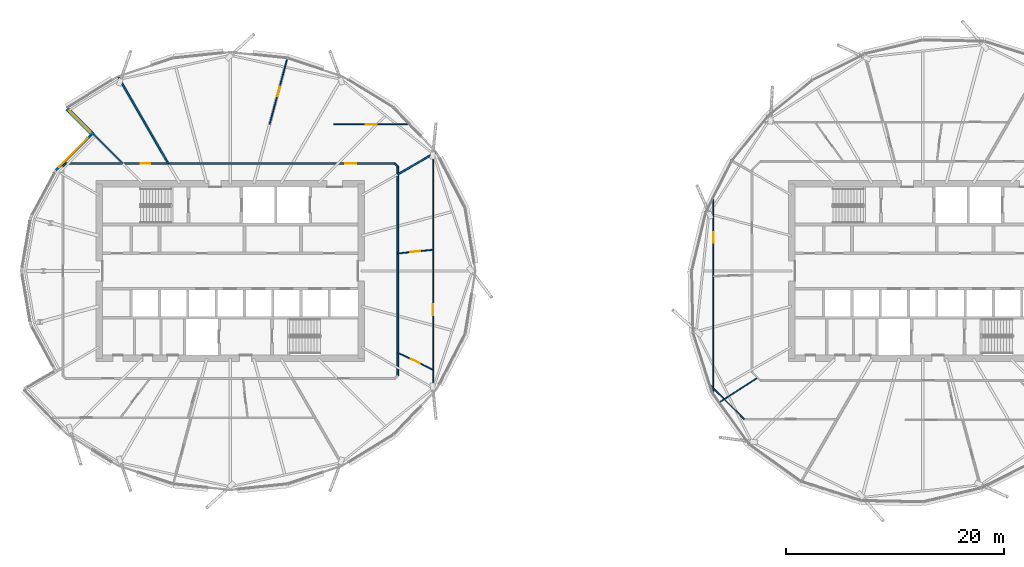
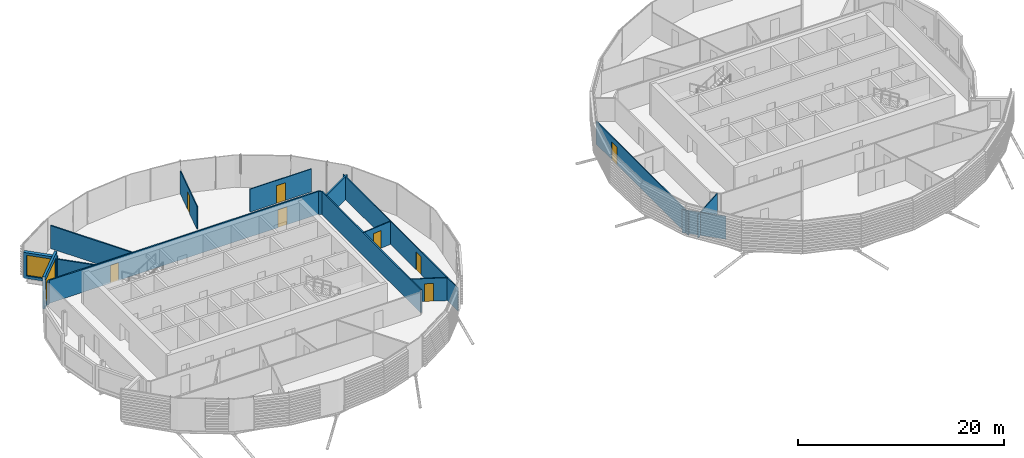
# One storey, part 21 of 37: 17 walls, 8 doors, 2 windows, 10 openings.
"""IFC4 building model written with IfcOpenShell, lengths in metres."""

import ifcopenshell
import ifcopenshell.guid

model = None  # the IFC model being written
_history = None  # IfcOwnerHistory: only IFC2X3 demands one
_inside = {}  # id of a spatial element -> (the spatial element, [elements in it])
_under = {}  # id of a project, library or spatial element -> (it, [spatial elements below it])
_declared = {}  # id of a project -> (the project, [libraries it declares])
_typed = {}  # id of a type object -> (the type object, [elements of that type])
_made_of = {}  # id of a material, layer set ... -> (it, [elements and type objects made of it])


def new_model(schema):
    """Start an empty IFC model of exactly this schema.

    Asked for "IFC4X3", IfcOpenShell would pick the latest addendum, in which some entities
    have other attributes; the version numbers below select the first issue.
    IFC2X3 requires an IfcOwnerHistory on every rooted entity: one is made here for all.
    """
    global model, _history
    if schema == "IFC4X3":
        model = ifcopenshell.file(schema_version=(4, 3, 0, 0))
    else:
        model = ifcopenshell.file(schema=schema)
    _inside.clear()
    _under.clear()
    _declared.clear()
    _typed.clear()
    _made_of.clear()
    _history = None
    if model.schema == "IFC2X3":
        org = make("IfcOrganization", Name="unknown")
        user = make(
            "IfcPersonAndOrganization",
            ThePerson=make("IfcPerson", FamilyName="unknown"),
            TheOrganization=org,
        )
        app = make(
            "IfcApplication",
            ApplicationDeveloper=org,
            Version="unknown",
            ApplicationFullName="unknown",
            ApplicationIdentifier="unknown",
        )
        _history = make(
            "IfcOwnerHistory",
            OwningUser=user,
            OwningApplication=app,
            ChangeAction="ADDED",
            CreationDate=0,
        )
    return model


def make(cls, **values):
    """One entity of the class cls with the attributes given. An attribute that is None is left unset."""
    return model.create_entity(
        cls, **{name: value for name, value in values.items() if value is not None}
    )


def rooted(cls, **values):
    """An entity with a GlobalId (a new one), such as an element, a storey or a relation."""
    return make(cls, GlobalId=ifcopenshell.guid.new(), OwnerHistory=_history, **values)


def si_unit(unit_type, name, prefix=None):
    """IfcSIUnit, for example si_unit("LENGTHUNIT", "METRE", prefix="MILLI")."""
    return make("IfcSIUnit", UnitType=unit_type, Prefix=prefix, Name=name)


def assignment(units):
    """IfcUnitAssignment: the units of a project."""
    return None if units is None else make("IfcUnitAssignment", Units=units)


def point(xyz):
    """IfcCartesianPoint."""
    return None if xyz is None else make("IfcCartesianPoint", Coordinates=xyz)


def direction(xyz):
    """IfcDirection."""
    return None if xyz is None else make("IfcDirection", DirectionRatios=xyz)


def frame(location, z_axis=None, x_axis=None):
    """IfcAxis2Placement3D, a coordinate frame: its origin and axes. An axis left out is left unset."""
    return make(
        "IfcAxis2Placement3D",
        Location=point(location),
        Axis=direction(z_axis),
        RefDirection=direction(x_axis),
    )


def frame_2d(location, x_axis=None):
    """IfcAxis2Placement2D, a coordinate frame in the plane: its origin and x axis."""
    return make(
        "IfcAxis2Placement2D", Location=point(location), RefDirection=direction(x_axis)
    )


def origin():
    """The frame at (0, 0, 0) with its axes left unset."""
    return frame((0.0, 0.0, 0.0))


def place(relative_to, where):
    """IfcLocalPlacement: puts the frame where relative to a parent placement (None: the world)."""
    return make(
        "IfcLocalPlacement", PlacementRelTo=relative_to, RelativePlacement=where
    )


def context(
    kind, dimensions, precision=None, world=None, true_north=None, identifier=None
):
    """IfcGeometricRepresentationContext, for example the 3D "Model" context."""
    return make(
        "IfcGeometricRepresentationContext",
        ContextIdentifier=identifier,
        ContextType=kind,
        CoordinateSpaceDimension=dimensions,
        Precision=precision,
        WorldCoordinateSystem=world,
        TrueNorth=true_north,
    )


def subcontext(parent, identifier, kind, view, scale=None):
    """IfcGeometricRepresentationSubContext, for example "Body" below "Model"."""
    return make(
        "IfcGeometricRepresentationSubContext",
        ContextIdentifier=identifier,
        ContextType=kind,
        ParentContext=parent,
        TargetScale=scale,
        TargetView=view,
    )


def project(units=None, contexts=None):
    """IfcProject with its units and contexts."""
    return rooted(
        "IfcProject",
        Name="project",
        RepresentationContexts=contexts,
        UnitsInContext=assignment(units),
    )


def spatial(cls, under=None, at=None, **own):
    """A site, building, storey or space (cls), placed at a placement, below another one or the project."""
    s = rooted(cls, ObjectPlacement=at, **own)
    if under is not None:
        _under.setdefault(under.id(), (under, []))[1].append(s)
    return s


def profile(cls, at=None, kind="AREA", **sizes):
    """A parametric profile (cls). Its sizes go by their IFC names, for example OverallWidth=200.0."""
    return make(cls, ProfileType=kind, Position=at, **sizes)


def rectangle(**sizes):
    """IfcRectangleProfileDef."""
    return profile("IfcRectangleProfileDef", **sizes)


def extrude(swept, where, along, depth):
    """IfcExtrudedAreaSolid: the profile swept, set in the frame where, extruded along a direction by depth."""
    return make(
        "IfcExtrudedAreaSolid",
        SweptArea=swept,
        Position=where,
        ExtrudedDirection=direction(along),
        Depth=depth,
    )


def shape(context_of_items, identifier, shape_type, items):
    """IfcShapeRepresentation: the items that make up one representation, for example the "Body"."""
    return make(
        "IfcShapeRepresentation",
        ContextOfItems=context_of_items,
        RepresentationIdentifier=identifier,
        RepresentationType=shape_type,
        Items=items,
    )


def material(Name=None, Category=None):
    """IfcMaterial."""
    return make("IfcMaterial", Name=Name, Category=Category)


def layer(
    of_material, thickness, ventilated=None, Name=None, Category=None, Priority=None
):
    """IfcMaterialLayer: one layer of a wall or slab, of a material (None: an air gap)."""
    return make(
        "IfcMaterialLayer",
        Material=of_material,
        LayerThickness=thickness,
        IsVentilated=ventilated,
        Name=Name,
        Category=Category,
        Priority=Priority,
    )


def layer_set(layers, Name=None):
    """IfcMaterialLayerSet."""
    return make("IfcMaterialLayerSet", MaterialLayers=layers, LayerSetName=Name)


def made_of(thing, what):
    """Note that an element or type object is made of a material, layer set ...; save() writes the relation."""
    if what is not None:
        _made_of.setdefault(what.id(), (what, []))[1].append(thing)
    return thing


def type_object(cls, material=None, **own):
    """A type object (cls), such as IfcWallType, which elements share."""
    return made_of(rooted(cls, **own), material)


def element(
    cls,
    number,
    at=None,
    inside=None,
    cuts=None,
    type_object=None,
    material=None,
    context=None,
    identifier="Body",
    shape_type=None,
    held_by="IfcProductDefinitionShape",
    body=None,
    shapes=None,
    **own,
):
    """One element of the class cls, such as IfcWall. Its Tag is "e" and its number.

    at: its placement. inside: the storey or other place that contains it. cuts: it is an
    opening in that element (IfcRelVoidsElement). A single representation is given by context,
    identifier, shape_type and body (its items); several are given by shapes. held_by: the class
    of the entity that holds the representations. save() writes the other relations.
    """
    e = rooted(cls, Tag="e%d" % number, ObjectPlacement=at, **own)
    if body is not None:
        shapes = [shape(context, identifier, shape_type, body)]
    if shapes is not None:
        e.Representation = make(held_by, Representations=shapes)
    if inside is not None:
        _inside.setdefault(inside.id(), (inside, []))[1].append(e)
    if cuts is not None:
        rooted(
            "IfcRelVoidsElement", RelatingBuildingElement=cuts, RelatedOpeningElement=e
        )
    if type_object is not None:
        _typed.setdefault(type_object.id(), (type_object, []))[1].append(e)
    return made_of(e, material)


def fill(opening, filler):
    """IfcRelFillsElement: the door or window that sits in an opening."""
    return rooted(
        "IfcRelFillsElement",
        RelatingOpeningElement=opening,
        RelatedBuildingElement=filler,
    )


def aggregate(whole, parts):
    """IfcRelAggregates: a whole, such as a stair, and the parts it consists of."""
    return rooted("IfcRelAggregates", RelatingObject=whole, RelatedObjects=parts)


def save(model, path):
    """Write the relations noted so far, then the file.

    IfcRelAggregates (storeys below a building ...), IfcRelContainedInSpatialStructure (elements
    in a storey), IfcRelDefinesByType, IfcRelAssociatesMaterial and IfcRelDeclares: one each for
    every whole, place, type object, material and project.
    """
    for whole, parts in _under.values():
        aggregate(whole, parts)
    for where, things in _inside.values():
        rooted(
            "IfcRelContainedInSpatialStructure",
            RelatedElements=things,
            RelatingStructure=where,
        )
    for kind, things in _typed.values():
        rooted("IfcRelDefinesByType", RelatedObjects=things, RelatingType=kind)
    for what, things in _made_of.values():
        rooted("IfcRelAssociatesMaterial", RelatedObjects=things, RelatingMaterial=what)
    for by, libraries in _declared.values():
        rooted("IfcRelDeclares", RelatingContext=by, RelatedDefinitions=libraries)
    model.write(path)


model = new_model("IFC4")

# Units and contexts
model_context = context("Model", 3, precision=1e-05, world=origin(), true_north=direction((0.0, 1.0)))
body_context = subcontext(model_context, "Body", "Model", "MODEL_VIEW")
ifc_project = project(units=[si_unit("LENGTHUNIT", "METRE"), si_unit("AREAUNIT", "SQUARE_METRE"), si_unit("VOLUMEUNIT", "CUBIC_METRE"), si_unit("PLANEANGLEUNIT", "RADIAN"), si_unit("MASSUNIT", "GRAM", prefix="KILO")], contexts=[model_context])

# Site, building, storey
site_placement = place(None, origin())
site = spatial("IfcSite", under=ifc_project, at=site_placement, CompositionType="ELEMENT")
building_placement = place(site_placement, origin())
building = spatial("IfcBuilding", under=site, at=building_placement, Name="Rimbun Link Towers", CompositionType="ELEMENT")
storey_placement = place(building_placement, frame((0.0, 0.0, 166.5)))
storey = spatial("IfcBuildingStorey", under=building, at=storey_placement, Name="L40", CompositionType="ELEMENT", Elevation=166.5)

# Wall, opening, window
ifc_material_1 = material(Name="Dark enamelled glass spandrel on insulated aluminium backpan", Category="aluminium")
ifc_layer_1 = layer(ifc_material_1, 0.25)
ifc_layer_set_1 = layer_set([ifc_layer_1], Name="CS dark enamelled spandrel wall 250")
wall_type_1 = type_object("IfcWallType", Name="CS dark enamelled spandrel wall 250", PredefinedType="STANDARD", material=ifc_layer_set_1)
wall_1_placement = place(storey_placement, frame((-47.7470703125, 9.252685546875, 0.0), z_axis=(0.0, 0.0, 1.0), x_axis=(0.706701477336, 0.707511852855, 0.0)))
wall_1 = element("IfcWall", 1, at=wall_1_placement, inside=storey, type_object=wall_type_1, Name="Crease spandrel wall", PredefinedType="STANDARD", context=body_context, shape_type="SweptSolid", body=[
    extrude(rectangle(XDim=4.51904296875, YDim=0.25, at=frame_2d((2.259521484375, 0.0))), origin(), (0.0, 0.0, 1.0), 3.800048828125),
])
opening_1_placement = place(wall_1_placement, frame((0.384521484375, 0.0, 0.300048828125)))
opening_1 = element("IfcOpeningElement", 2, at=opening_1_placement, cuts=wall_1, Name="Opening WR38H295", PredefinedType="OPENING", context=body_context, shape_type="SweptSolid", body=[
    extrude(rectangle(XDim=3.75, YDim=2.949951171875, at=frame_2d((1.875, 1.47509765625))), frame((0.0, 0.135009765625, 0.0), z_axis=(0.0, -1.0, 0.0), x_axis=(1.0, 0.0, 0.0)), (0.0, 0.0, 1.0), 0.27001953125),
])
ifc_material_2 = material(Name="Aluminium framed fixed window, dark tinted low-e glass", Category="aluminium")
window_type_1 = type_object("IfcWindowType", Name="WR ribbon window 3750X2950", PartitioningType="SINGLE_PANEL", PredefinedType="WINDOW", material=ifc_material_2)
window_1_placement = place(opening_1_placement, origin())
window_1 = element("IfcWindow", 3, at=window_1_placement, inside=storey, type_object=window_type_1, Name="Crease ribbon window", OverallHeight=2.949951171875, OverallWidth=3.75, PartitioningType="SINGLE_PANEL", PredefinedType="WINDOW", context=body_context, shape_type="SweptSolid", body=[
    extrude(rectangle(XDim=3.75, YDim=2.949951171875, at=frame_2d((1.875, 1.47509765625))), frame((0.0, 0.030029296875, 0.0), z_axis=(0.0, -1.0, 0.0), x_axis=(1.0, 0.0, 0.0)), (0.0, 0.0, 1.0), 0.06005859375),
])
fill(opening_1, window_1)

ifc_material_3 = material(Name="Dark enamelled glass spandrel on insulated aluminium backpan", Category="aluminium")
ifc_layer_2 = layer(ifc_material_3, 0.3701171875)
ifc_layer_set_2 = layer_set([ifc_layer_2], Name="CS dark enamelled spandrel wall 370")
wall_type_2 = type_object("IfcWallType", Name="CS dark enamelled spandrel wall 370", PredefinedType="STANDARD", material=ifc_layer_set_2)
wall_2_placement = place(storey_placement, frame((-44.33447265625, 12.492431640625, 0.0), z_axis=(0.0, 0.0, 1.0), x_axis=(-0.707106781187, 0.707106781187, 0.0)))
wall_2 = element("IfcWall", 4, at=wall_2_placement, inside=storey, type_object=wall_type_2, Name="Crease spandrel wall", PredefinedType="STANDARD", context=body_context, shape_type="SweptSolid", body=[
    extrude(rectangle(XDim=3.380126953125, YDim=0.3701171875, at=frame_2d((1.68994140625, 0.0))), origin(), (0.0, 0.0, 1.0), 3.037353515625),
])
opening_2_placement = place(wall_2_placement, frame((0.31494140625, 0.0, 0.300048828125)))
opening_2 = element("IfcOpeningElement", 5, at=opening_2_placement, cuts=wall_2, Name="Opening WR28H245", PredefinedType="OPENING", context=body_context, shape_type="SweptSolid", body=[
    extrude(rectangle(XDim=2.75, YDim=2.449951171875, at=frame_2d((1.375, 1.22509765625))), frame((0.0, 0.195068359375, 0.0), z_axis=(0.0, -1.0, 0.0), x_axis=(1.0, 0.0, 0.0)), (0.0, 0.0, 1.0), 0.39013671875),
])
ifc_material_4 = material(Name="Aluminium framed fixed window, dark tinted low-e glass", Category="aluminium")
window_type_2 = type_object("IfcWindowType", Name="WR ribbon window 2750X2450", PartitioningType="SINGLE_PANEL", PredefinedType="WINDOW", material=ifc_material_4)
window_2_placement = place(opening_2_placement, origin())
window_2 = element("IfcWindow", 6, at=window_2_placement, inside=storey, type_object=window_type_2, Name="Crease ribbon window", OverallHeight=2.449951171875, OverallWidth=2.75, PartitioningType="SINGLE_PANEL", PredefinedType="WINDOW", context=body_context, shape_type="SweptSolid", body=[
    extrude(rectangle(XDim=2.75, YDim=2.449951171875, at=frame_2d((1.375, 1.22509765625))), frame((0.0, 0.030029296875, 0.0), z_axis=(0.0, -1.0, 0.0), x_axis=(1.0, 0.0, 0.0)), (0.0, 0.0, 1.0), 0.06005859375),
])
fill(opening_2, window_2)

# Wall, openings, doors
ifc_material_5 = material(Name="Plasterboard on steel stud, mineral wool", Category="steel")
ifc_layer_3 = layer(ifc_material_5, 0.14990234375)
ifc_layer_set_3 = layer_set([ifc_layer_3], Name="Corridor wall EI 30 150 mm")
wall_type_3 = type_object("IfcWallType", Name="Corridor wall EI 30 150 mm", PredefinedType="PARTITIONING", material=ifc_layer_set_3)
wall_3_placement = place(storey_placement, frame((-46.84375, 9.85498046875, 0.0), z_axis=(0.0, 0.0, 1.0), x_axis=(1.0, 0.0, 0.0)))
wall_3 = element("IfcWall", 7, at=wall_3_placement, inside=storey, type_object=wall_type_3, Name="Corridor wall EI 30 150 mm", PredefinedType="PARTITIONING", context=body_context, shape_type="SweptSolid", body=[
    extrude(rectangle(XDim=30.1875, YDim=0.14990234375, at=frame_2d((15.09375, 0.0))), origin(), (0.0, 0.0, 1.0), 2.7119140625),
])
opening_3_placement = place(wall_3_placement, frame((25.62939453125, 0.0, 0.0)))
opening_3 = element("IfcOpeningElement", 8, at=opening_3_placement, cuts=wall_3, Name="Opening D01", PredefinedType="OPENING", context=body_context, shape_type="SweptSolid", body=[
    extrude(rectangle(XDim=1.0, YDim=2.10009765625, at=frame_2d((0.5, 1.050048828125))), frame((0.0, 0.0849609375, 0.0), z_axis=(0.0, -1.0, 0.0), x_axis=(1.0, 0.0, 0.0)), (0.0, 0.0, 1.0), 0.169921875),
])
opening_4_placement = place(wall_3_placement, frame((6.871337890625, 0.0, 0.0)))
opening_4 = element("IfcOpeningElement", 9, at=opening_4_placement, cuts=wall_3, Name="Opening D02", PredefinedType="OPENING", context=body_context, shape_type="SweptSolid", body=[
    extrude(rectangle(XDim=0.89990234375, YDim=2.10009765625, at=frame_2d((0.449951171875, 1.050048828125))), frame((0.0, 0.0849609375, 0.0), z_axis=(0.0, -1.0, 0.0), x_axis=(1.0, 0.0, 0.0)), (0.0, 0.0, 1.0), 0.169921875),
])
ifc_material_6 = material(Name="Fire-resisting timber door leaf", Category="wood")
door_type_1 = type_object("IfcDoorType", Name="Fire door FD30S 1000", OperationType="NOTDEFINED", PredefinedType="DOOR", material=ifc_material_6)
door_1_placement = place(opening_3_placement, origin())
door_1 = element("IfcDoor", 10, at=door_1_placement, inside=storey, type_object=door_type_1, Name="Fire door FD30S 1000 to Tenant lobby", OperationType="SINGLE_SWING_LEFT", OverallHeight=2.10009765625, OverallWidth=1.0, PredefinedType="DOOR", context=body_context, shape_type="SweptSolid", body=[
    extrude(rectangle(XDim=1.0, YDim=2.10009765625, at=frame_2d((0.5, 1.050048828125))), frame((0.0, 0.02490234375, 0.0), z_axis=(0.0, -1.0, 0.0), x_axis=(1.0, 0.0, 0.0)), (0.0, 0.0, 1.0), 0.050048828125),
])
fill(opening_3, door_1)
ifc_material_7 = material(Name="Fire-resisting timber door leaf", Category="wood")
door_type_2 = type_object("IfcDoorType", Name="Fire door FD30S 900", OperationType="NOTDEFINED", PredefinedType="DOOR", material=ifc_material_7)
door_2_placement = place(opening_4_placement, origin())
door_2 = element("IfcDoor", 11, at=door_2_placement, inside=storey, type_object=door_type_2, Name="Fire door FD30S 900 to Print room", OperationType="SINGLE_SWING_RIGHT", OverallHeight=2.10009765625, OverallWidth=0.89990234375, PredefinedType="DOOR", context=body_context, shape_type="SweptSolid", body=[
    extrude(rectangle(XDim=0.89990234375, YDim=2.10009765625, at=frame_2d((0.449951171875, 1.050048828125))), frame((0.0, 0.02490234375, 0.0), z_axis=(0.0, -1.0, 0.0), x_axis=(1.0, 0.0, 0.0)), (0.0, 0.0, 1.0), 0.050048828125),
])
fill(opening_4, door_2)

# Walls
wall_4_placement = place(storey_placement, frame((-16.39501953125, 9.59375, 0.0), z_axis=(0.0, 0.0, 1.0), x_axis=(-0.707106781187, 0.707106781187, 0.0)))
element("IfcWall", 12, at=wall_4_placement, inside=storey, type_object=wall_type_3, Name="Corridor wall EI 30 150 mm", PredefinedType="PARTITIONING", context=body_context, shape_type="SweptSolid", body=[
    extrude(rectangle(XDim=0.369384765625, YDim=0.14990234375, at=frame_2d((0.1845703125, 0.0))), origin(), (0.0, 0.0, 1.0), 2.7119140625),
])
wall_5_placement = place(storey_placement, frame((-16.39501953125, -9.59375, 0.0), z_axis=(0.0, 0.0, 1.0), x_axis=(0.0, 1.0, 0.0)))
element("IfcWall", 13, at=wall_5_placement, inside=storey, type_object=wall_type_3, Name="Corridor wall EI 30 150 mm", PredefinedType="PARTITIONING", context=body_context, shape_type="SweptSolid", body=[
    extrude(rectangle(XDim=19.1875, YDim=0.14990234375, at=frame_2d((9.59375, 0.0))), origin(), (0.0, 0.0, 1.0), 2.7119140625),
])
wall_6_placement = place(storey_placement, frame((-46.84375, 9.85498046875, 0.0), z_axis=(0.0, 0.0, 1.0), x_axis=(-0.707106781187, -0.707106781187, 0.0)))
element("IfcWall", 14, at=wall_6_placement, inside=storey, type_object=wall_type_3, Name="Corridor wall EI 30 150 mm", PredefinedType="PARTITIONING", context=body_context, shape_type="SweptSolid", body=[
    extrude(rectangle(XDim=0.369384765625, YDim=0.14990234375, at=frame_2d((0.1845703125, 0.0))), origin(), (0.0, 0.0, 1.0), 2.7119140625),
])

# Wall, opening, door
ifc_material_8 = material(Name="Plasterboard on steel stud", Category="steel")
ifc_layer_4 = layer(ifc_material_8, 0.10009765625)
ifc_layer_set_4 = layer_set([ifc_layer_4], Name="Plasterboard partition 100 mm")
wall_type_4 = type_object("IfcWallType", Name="Plasterboard partition 100 mm", PredefinedType="PARTITIONING", material=ifc_layer_set_4)
wall_7_placement = place(storey_placement, frame((-16.39501953125, -7.480712890625, 0.0), z_axis=(0.0, 0.0, 1.0), x_axis=(0.89899944316, -0.437949770178, 0.0)))
wall_7 = element("IfcWall", 15, at=wall_7_placement, inside=storey, type_object=wall_type_4, Name="Plasterboard partition 100 mm", PredefinedType="PARTITIONING", context=body_context, shape_type="SweptSolid", body=[
    extrude(rectangle(XDim=3.60400390625, YDim=0.10009765625, at=frame_2d((1.802001953125, 0.0))), origin(), (0.0, 0.0, 1.0), 2.7119140625),
])
opening_5_placement = place(wall_7_placement, frame((1.35205078125, 0.0, 0.0)))
opening_5 = element("IfcOpeningElement", 16, at=opening_5_placement, cuts=wall_7, Name="Opening D04", PredefinedType="OPENING", context=body_context, shape_type="SweptSolid", body=[
    extrude(rectangle(XDim=0.89990234375, YDim=2.10009765625, at=frame_2d((0.449951171875, 1.050048828125))), frame((0.0, 0.06005859375, 0.0), z_axis=(0.0, -1.0, 0.0), x_axis=(1.0, 0.0, 0.0)), (0.0, 0.0, 1.0), 0.1201171875),
])
ifc_material_9 = material(Name="Timber door leaf", Category="wood")
door_type_3 = type_object("IfcDoorType", Name="Flush door 900", OperationType="NOTDEFINED", PredefinedType="DOOR", material=ifc_material_9)
door_3_placement = place(opening_5_placement, origin())
door_3 = element("IfcDoor", 17, at=door_3_placement, inside=storey, type_object=door_type_3, Name="Flush door 900 to Data room", OperationType="SINGLE_SWING_LEFT", OverallHeight=2.10009765625, OverallWidth=0.89990234375, PredefinedType="DOOR", context=body_context, shape_type="SweptSolid", body=[
    extrude(rectangle(XDim=0.89990234375, YDim=2.10009765625, at=frame_2d((0.449951171875, 1.050048828125))), frame((0.0, 0.02490234375, 0.0), z_axis=(0.0, -1.0, 0.0), x_axis=(1.0, 0.0, 0.0)), (0.0, 0.0, 1.0), 0.050048828125),
])
fill(opening_5, door_3)

wall_8_placement = place(storey_placement, frame((-13.155029296875, 11.148193359375, 0.0), z_axis=(0.0, 0.0, 1.0), x_axis=(0.0, -1.0, 0.0)))
wall_8 = element("IfcWall", 18, at=wall_8_placement, inside=storey, type_object=wall_type_4, Name="Plasterboard partition 100 mm", PredefinedType="PARTITIONING", context=body_context, shape_type="SweptSolid", body=[
    extrude(rectangle(XDim=22.29638671875, YDim=0.10009765625, at=frame_2d((11.148193359375, 0.0))), origin(), (0.0, 0.0, 1.0), 2.7119140625),
])
opening_6_placement = place(wall_8_placement, frame((14.203125, 0.0, 0.0)))
opening_6 = element("IfcOpeningElement", 19, at=opening_6_placement, cuts=wall_8, Name="Opening D03", PredefinedType="OPENING", context=body_context, shape_type="SweptSolid", body=[
    extrude(rectangle(XDim=1.0, YDim=2.10009765625, at=frame_2d((0.5, 1.050048828125))), frame((0.0, 0.06005859375, 0.0), z_axis=(0.0, -1.0, 0.0), x_axis=(1.0, 0.0, 0.0)), (0.0, 0.0, 1.0), 0.1201171875),
])
ifc_material_10 = material(Name="Timber door leaf", Category="wood")
door_type_4 = type_object("IfcDoorType", Name="Flush door 1000", OperationType="NOTDEFINED", PredefinedType="DOOR", material=ifc_material_10)
door_4_placement = place(opening_6_placement, origin())
door_4 = element("IfcDoor", 20, at=door_4_placement, inside=storey, type_object=door_type_4, Name="Flush door 1000 to Trading floor", OperationType="SINGLE_SWING_LEFT", OverallHeight=2.10009765625, OverallWidth=1.0, PredefinedType="DOOR", context=body_context, shape_type="SweptSolid", body=[
    extrude(rectangle(XDim=1.0, YDim=2.10009765625, at=frame_2d((0.5, 1.050048828125))), frame((0.0, 0.02490234375, 0.0), z_axis=(0.0, -1.0, 0.0), x_axis=(1.0, 0.0, 0.0)), (0.0, 0.0, 1.0), 0.050048828125),
])
fill(opening_6, door_4)

wall_9_placement = place(storey_placement, frame((-16.39501953125, 1.609619140625, 0.0), z_axis=(0.0, 0.0, 1.0), x_axis=(0.994551757502, 0.10424395258, 0.0)))
wall_9 = element("IfcWall", 21, at=wall_9_placement, inside=storey, type_object=wall_type_4, Name="Plasterboard partition 100 mm", PredefinedType="PARTITIONING", context=body_context, shape_type="SweptSolid", body=[
    extrude(rectangle(XDim=3.2578125, YDim=0.10009765625, at=frame_2d((1.62890625, 0.0))), origin(), (0.0, 0.0, 1.0), 2.7119140625),
])
opening_7_placement = place(wall_9_placement, frame((1.178955078125, 0.0, 0.0)))
opening_7 = element("IfcOpeningElement", 22, at=opening_7_placement, cuts=wall_9, Name="Opening D04", PredefinedType="OPENING", context=body_context, shape_type="SweptSolid", body=[
    extrude(rectangle(XDim=0.89990234375, YDim=2.10009765625, at=frame_2d((0.449951171875, 1.050048828125))), frame((0.0, 0.06005859375, 0.0), z_axis=(0.0, -1.0, 0.0), x_axis=(1.0, 0.0, 0.0)), (0.0, 0.0, 1.0), 0.1201171875),
])
door_5_placement = place(opening_7_placement, origin())
door_5 = element("IfcDoor", 23, at=door_5_placement, inside=storey, type_object=door_type_3, Name="Flush door 900 to Communications room", OperationType="SINGLE_SWING_RIGHT", OverallHeight=2.10009765625, OverallWidth=0.89990234375, PredefinedType="DOOR", context=body_context, shape_type="SweptSolid", body=[
    extrude(rectangle(XDim=0.89990234375, YDim=2.10009765625, at=frame_2d((0.449951171875, 1.050048828125))), frame((0.0, 0.02490234375, 0.0), z_axis=(0.0, -1.0, 0.0), x_axis=(1.0, 0.0, 0.0)), (0.0, 0.0, 1.0), 0.050048828125),
])
fill(opening_7, door_5)

wall_10_placement = place(storey_placement, frame((-22.26025390625, 13.455078125, 0.0), z_axis=(0.0, 0.0, 1.0), x_axis=(1.0, 0.0, 0.0)))
wall_10 = element("IfcWall", 24, at=wall_10_placement, inside=storey, type_object=wall_type_4, Name="Plasterboard partition 100 mm", PredefinedType="PARTITIONING", context=body_context, shape_type="SweptSolid", body=[
    extrude(rectangle(XDim=6.879150390625, YDim=0.10009765625, at=frame_2d((3.439453125, 0.0))), origin(), (0.0, 0.0, 1.0), 2.7119140625),
])
opening_8_placement = place(wall_10_placement, frame((2.939697265625, 0.0, 0.0)))
opening_8 = element("IfcOpeningElement", 25, at=opening_8_placement, cuts=wall_10, Name="Opening D03", PredefinedType="OPENING", context=body_context, shape_type="SweptSolid", body=[
    extrude(rectangle(XDim=1.0, YDim=2.10009765625, at=frame_2d((0.5, 1.050048828125))), frame((0.0, 0.06005859375, 0.0), z_axis=(0.0, -1.0, 0.0), x_axis=(1.0, 0.0, 0.0)), (0.0, 0.0, 1.0), 0.1201171875),
])
door_6_placement = place(opening_8_placement, origin())
door_6 = element("IfcDoor", 26, at=door_6_placement, inside=storey, type_object=door_type_4, Name="Flush door 1000 to Open office", OperationType="SINGLE_SWING_RIGHT", OverallHeight=2.10009765625, OverallWidth=1.0, PredefinedType="DOOR", context=body_context, shape_type="SweptSolid", body=[
    extrude(rectangle(XDim=1.0, YDim=2.10009765625, at=frame_2d((0.5, 1.050048828125))), frame((0.0, 0.02490234375, 0.0), z_axis=(0.0, -1.0, 0.0), x_axis=(1.0, 0.0, 0.0)), (0.0, 0.0, 1.0), 0.050048828125),
])
fill(opening_8, door_6)

wall_11_placement = place(storey_placement, frame((-28.144775390625, 13.455078125, 0.0), z_axis=(0.0, 0.0, 1.0), x_axis=(0.25881431183, 0.965927094553, 0.0)))
wall_11 = element("IfcWall", 27, at=wall_11_placement, inside=storey, type_object=wall_type_4, Name="Plasterboard partition 100 mm", PredefinedType="PARTITIONING", context=body_context, shape_type="SweptSolid", body=[
    extrude(rectangle(XDim=6.239990234375, YDim=0.10009765625, at=frame_2d((3.1201171875, 0.0))), origin(), (0.0, 0.0, 1.0), 2.7119140625),
])
opening_9_placement = place(wall_11_placement, frame((2.669921875, 0.0, 0.0)))
opening_9 = element("IfcOpeningElement", 28, at=opening_9_placement, cuts=wall_11, Name="Opening D04", PredefinedType="OPENING", context=body_context, shape_type="SweptSolid", body=[
    extrude(rectangle(XDim=0.89990234375, YDim=2.10009765625, at=frame_2d((0.449951171875, 1.050048828125))), frame((0.0, 0.06005859375, 0.0), z_axis=(0.0, -1.0, 0.0), x_axis=(1.0, 0.0, 0.0)), (0.0, 0.0, 1.0), 0.1201171875),
])
door_7_placement = place(opening_9_placement, origin())
door_7 = element("IfcDoor", 29, at=door_7_placement, inside=storey, type_object=door_type_3, Name="Flush door 900 to Project room", OperationType="SINGLE_SWING_LEFT", OverallHeight=2.10009765625, OverallWidth=0.89990234375, PredefinedType="DOOR", context=body_context, shape_type="SweptSolid", body=[
    extrude(rectangle(XDim=0.89990234375, YDim=2.10009765625, at=frame_2d((0.449951171875, 1.050048828125))), frame((0.0, 0.02490234375, 0.0), z_axis=(0.0, -1.0, 0.0), x_axis=(1.0, 0.0, 0.0)), (0.0, 0.0, 1.0), 0.050048828125),
])
fill(opening_9, door_7)

wall_12_placement = place(storey_placement, frame((12.554931640625, -11.23828125, 0.0), z_axis=(0.0, 0.0, 1.0), x_axis=(0.0, 1.0, 0.0)))
wall_12 = element("IfcWall", 30, at=wall_12_placement, inside=storey, type_object=wall_type_4, Name="Plasterboard partition 100 mm", PredefinedType="PARTITIONING", context=body_context, shape_type="SweptSolid", body=[
    extrude(rectangle(XDim=17.8828125, YDim=0.10009765625, at=frame_2d((8.94140625, 0.0))), origin(), (0.0, 0.0, 1.0), 2.7119140625),
])
opening_10_placement = place(wall_12_placement, frame((13.81103515625, 0.0, 0.0)))
opening_10 = element("IfcOpeningElement", 31, at=opening_10_placement, cuts=wall_12, Name="Opening D03", PredefinedType="OPENING", context=body_context, shape_type="SweptSolid", body=[
    extrude(rectangle(XDim=1.0, YDim=2.10009765625, at=frame_2d((0.5, 1.050048828125))), frame((0.0, 0.06005859375, 0.0), z_axis=(0.0, -1.0, 0.0), x_axis=(1.0, 0.0, 0.0)), (0.0, 0.0, 1.0), 0.1201171875),
])
door_8_placement = place(opening_10_placement, origin())
door_8 = element("IfcDoor", 32, at=door_8_placement, inside=storey, type_object=door_type_4, Name="Flush door 1000 to Trading floor", OperationType="SINGLE_SWING_RIGHT", OverallHeight=2.10009765625, OverallWidth=1.0, PredefinedType="DOOR", context=body_context, shape_type="SweptSolid", body=[
    extrude(rectangle(XDim=1.0, YDim=2.10009765625, at=frame_2d((0.5, 1.050048828125))), frame((0.0, 0.02490234375, 0.0), z_axis=(0.0, -1.0, 0.0), x_axis=(1.0, 0.0, 0.0)), (0.0, 0.0, 1.0), 0.050048828125),
])
fill(opening_10, door_8)

# Walls
wall_13_placement = place(storey_placement, frame((13.1201171875, -12.036376953125, 0.0), z_axis=(0.0, 0.0, 1.0), x_axis=(0.83993902528, 0.54268078445, 0.0)))
element("IfcWall", 33, at=wall_13_placement, inside=storey, type_object=wall_type_4, Name="Plasterboard partition 100 mm", PredefinedType="PARTITIONING", context=body_context, shape_type="SweptSolid", body=[
    extrude(rectangle(XDim=4.13525390625, YDim=0.10009765625, at=frame_2d((2.067626953125, 0.0))), origin(), (0.0, 0.0, 1.0), 2.7119140625),
])
wall_14_placement = place(storey_placement, frame((12.269775390625, -10.474853515625, 0.0), z_axis=(0.0, 0.0, 1.0), x_axis=(0.707079117143, -0.707134444148, 0.0)))
element("IfcWall", 34, at=wall_14_placement, inside=storey, type_object=wall_type_4, Name="Plasterboard partition 100 mm", PredefinedType="PARTITIONING", context=body_context, shape_type="SweptSolid", body=[
    extrude(rectangle(XDim=4.41259765625, YDim=0.10009765625, at=frame_2d((2.206298828125, 0.0))), origin(), (0.0, 0.0, 1.0), 2.7119140625),
])
ifc_material_11 = material(Name="Plasterboard on steel stud, mineral wool", Category="steel")
ifc_layer_5 = layer(ifc_material_11, 0.14990234375)
ifc_layer_set_5 = layer_set([ifc_layer_5], Name="Tenancy separation wall EI 60 150 mm")
wall_type_5 = type_object("IfcWallType", Name="Tenancy separation wall EI 60 150 mm", PredefinedType="PARTITIONING", material=ifc_layer_set_5)
wall_15_placement = place(storey_placement, frame((-16.39501953125, 8.865234375, 0.0), z_axis=(0.0, 0.0, 1.0), x_axis=(0.866016868524, 0.500014783214, 0.0)))
element("IfcWall", 35, at=wall_15_placement, inside=storey, type_object=wall_type_5, Name="Tenancy separation wall EI 60 150 mm", PredefinedType="PARTITIONING", context=body_context, shape_type="SweptSolid", body=[
    extrude(rectangle(XDim=4.0244140625, YDim=0.14990234375, at=frame_2d((2.01220703125, 0.0))), origin(), (0.0, 0.0, 1.0), 2.7119140625),
])
wall_16_placement = place(storey_placement, frame((-37.439697265625, 9.85498046875, 0.0), z_axis=(0.0, 0.0, 1.0), x_axis=(-0.500000222056, 0.866025275581, 0.0)))
element("IfcWall", 36, at=wall_16_placement, inside=storey, type_object=wall_type_5, Name="Tenancy separation wall EI 60 150 mm", PredefinedType="PARTITIONING", context=body_context, shape_type="SweptSolid", body=[
    extrude(rectangle(XDim=9.1806640625, YDim=0.14990234375, at=frame_2d((4.59033203125, 0.0))), origin(), (0.0, 0.0, 1.0), 2.7119140625),
])
wall_17_placement = place(storey_placement, frame((-41.60498046875, 9.85498046875, 0.0), z_axis=(0.0, 0.0, 1.0), x_axis=(-0.707106781187, 0.707106781187, 0.0)))
element("IfcWall", 37, at=wall_17_placement, inside=storey, type_object=wall_type_5, Name="Tenancy separation wall EI 60 150 mm", PredefinedType="PARTITIONING", context=body_context, shape_type="SweptSolid", body=[
    extrude(rectangle(XDim=3.795166015625, YDim=0.14990234375, at=frame_2d((1.8974609375, 0.0))), origin(), (0.0, 0.0, 1.0), 2.7119140625),
])

save(model, "model.ifc")
